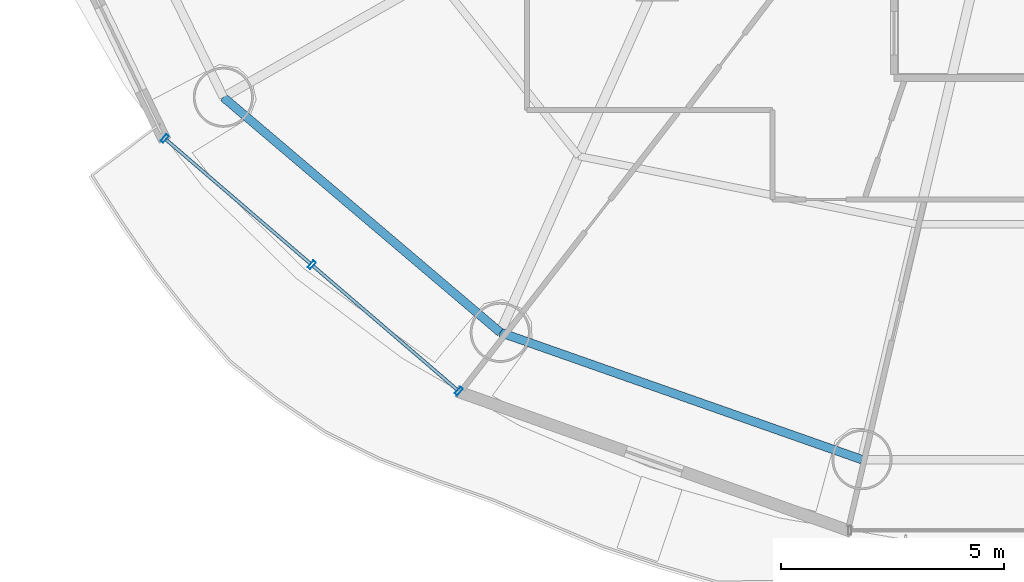
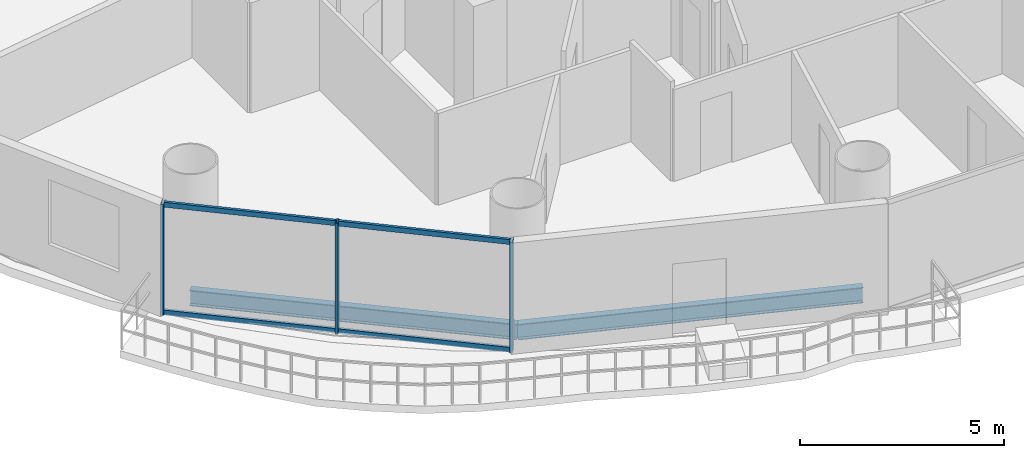
# One storey, part 2 of 26: 7 members, 2 beams, 1 element without a shape of its own.
"""IFC4 building model written with IfcOpenShell, lengths in metres."""

from ifc_helpers import new_model, si_unit, direction, frame, origin, origin_2d, place, context, subcontext, project, spatial, hollow_rectangle, i_section, extrude, source, transform, mapped, material, material_profile, profile_set, type_object, element, aggregate, save


model = new_model("IFC4")

# Units and contexts
model_context = context("Model", 3, precision=1e-05, world=origin(), true_north=direction((-0.2419218956, 0.970295726276)))
body_context = subcontext(model_context, "Body", "Model", "MODEL_VIEW")
ifc_project = project(units=[si_unit("LENGTHUNIT", "METRE"), si_unit("AREAUNIT", "SQUARE_METRE"), si_unit("VOLUMEUNIT", "CUBIC_METRE"), si_unit("PLANEANGLEUNIT", "RADIAN"), si_unit("MASSUNIT", "GRAM", prefix="KILO")], contexts=[model_context])

# Site, building, storey
site_placement = place(None, origin())
site = spatial("IfcSite", under=ifc_project, at=site_placement, CompositionType="ELEMENT")
building_placement = place(site_placement, origin())
building = spatial("IfcBuilding", under=site, at=building_placement, Name="Cobrevalo Terracotta Tower", CompositionType="ELEMENT")
storey_placement = place(building_placement, frame((0.0, 0.0, 135.39990234375)))
storey = spatial("IfcBuildingStorey", under=building, at=storey_placement, Name="L35", CompositionType="ELEMENT", Elevation=135.39990234375)

# Beams
ifc_material_1 = material(Name="Steel S355", Category="steel")
ifc_material_profile_1 = material_profile(ifc_material_1, i_section(OverallWidth=0.194091796875, OverallDepth=0.468994140625, WebThickness=0.011474609375, FlangeThickness=0.0205078125, at=origin_2d()), Name="W 460x106")
ifc_profile_set_1 = profile_set([ifc_material_profile_1], Name="Steel S355")
beam_type = type_object("IfcBeamType", Name="Structural Spandrel W 460x106 (Steel S355)", PredefinedType="SPANDREL", material=ifc_profile_set_1)
beam_1_placement = place(storey_placement, frame((19.250244140625, 16.160888671875, -0.50439453125), z_axis=(0.762240337798, -0.647294112003, 0.0), x_axis=(0.647294112003, 0.762240337798, 0.0)))
element("IfcBeam", 1, at=beam_1_placement, inside=storey, type_object=beam_type, Name="L35 perimeter ring spandrel 10", PredefinedType="SPANDREL", context=body_context, shape_type="SweptSolid", body=[
    extrude(i_section(OverallWidth=0.194091796875, OverallDepth=0.468994140625, WebThickness=0.011474609375, FlangeThickness=0.0205078125, at=origin_2d()), origin(), (0.0, 0.0, 1.0), 8.162353515625),
])
beam_2_placement = place(storey_placement, frame((25.471923828125, 10.87744140625, -0.50439453125), z_axis=(0.943341298492, -0.331824041565, 0.0), x_axis=(0.331824041565, 0.943341298492, 0.0)))
element("IfcBeam", 2, at=beam_2_placement, inside=storey, type_object=beam_type, Name="L35 perimeter ring spandrel 11", PredefinedType="SPANDREL", context=body_context, shape_type="SweptSolid", body=[
    extrude(i_section(OverallWidth=0.194091796875, OverallDepth=0.468994140625, WebThickness=0.011474609375, FlangeThickness=0.0205078125, at=origin_2d()), origin(), (0.0, 0.0, 1.0), 8.6171875),
])

# Curtain wall, members
ifc_material_2 = material(Name="Anodized aluminium", Category="aluminium")
curtain_wall_type = type_object("IfcCurtainWallType", Name="Mid-tower high-wind unitised curtain wall CW-U2", PredefinedType="NOTDEFINED", material=ifc_material_2)
curtain_wall_placement = place(storey_placement, origin())
curtain_wall = element("IfcCurtainWall", 3, at=curtain_wall_placement, inside=storey, type_object=curtain_wall_type, Name="L35 curtain wall CW-L35-S10", PredefinedType="NOTDEFINED")
ifc_material_profile_2 = material_profile(ifc_material_2, hollow_rectangle(XDim=0.074951171875, YDim=0.199951171875, WallThickness=0.0048828125, at=origin_2d()), Name="CWM 75x200")
ifc_profile_set_2 = profile_set([ifc_material_profile_2], Name="Anodized aluminium")
member_type_1 = type_object("IfcMemberType", Name="Lower/mid tower unitised mullion 75x200", PredefinedType="MULLION", material=ifc_profile_set_2)
shared_shape_1 = source(origin(), body_context, "Body", "SweptSolid", [
    extrude(hollow_rectangle(XDim=0.074951171875, YDim=0.199951171875, WallThickness=0.0048828125, at=origin_2d()), origin(), (0.0, 0.0, 1.0), 3.330078125),
])
member_1_placement = place(storey_placement, frame((17.933837890625, 15.234619140625, 0.0), z_axis=(0.0, 0.0, 1.0), x_axis=(0.758441546142, -0.65174106905, 0.0)))
member_1 = element("IfcMember", 4, at=member_1_placement, type_object=member_type_1, Name="CW-L35-S10 vertical mullion 01", PredefinedType="MULLION", context=body_context, shape_type="MappedRepresentation", body=[
    mapped(shared_shape_1, transform((0.0, 0.0, 0.0), scale=1.0)),
])
member_2_placement = place(storey_placement, frame((21.237548828125, 12.3955078125, 0.0), z_axis=(0.0, 0.0, 1.0), x_axis=(0.758441546142, -0.65174106905, 0.0)))
member_2 = element("IfcMember", 5, at=member_2_placement, type_object=member_type_1, Name="CW-L35-S10 vertical mullion 02", PredefinedType="MULLION", context=body_context, shape_type="MappedRepresentation", body=[
    mapped(shared_shape_1, transform((0.0, 0.0, 0.0), scale=1.0)),
])
member_3_placement = place(storey_placement, frame((24.54150390625, 9.556396484375, 0.0), z_axis=(0.0, 0.0, 1.0), x_axis=(0.758441546142, -0.65174106905, 0.0)))
member_3 = element("IfcMember", 6, at=member_3_placement, type_object=member_type_1, Name="CW-L35-S10 vertical mullion 03", PredefinedType="MULLION", context=body_context, shape_type="MappedRepresentation", body=[
    mapped(shared_shape_1, transform((0.0, 0.0, 0.0), scale=1.0)),
])
ifc_material_profile_3 = material_profile(ifc_material_2, hollow_rectangle(XDim=0.074951171875, YDim=0.14990234375, WallThickness=0.00439453125, at=origin_2d()), Name="CWT 75x150")
ifc_profile_set_3 = profile_set([ifc_material_profile_3], Name="Anodized aluminium")
member_type_2 = type_object("IfcMemberType", Name="Tower unitised aluminium transom 75x150", PredefinedType="USERDEFINED", material=ifc_profile_set_3)
shared_shape_2 = source(origin(), body_context, "Body", "SweptSolid", [
    extrude(hollow_rectangle(XDim=0.074951171875, YDim=0.14990234375, WallThickness=0.00439453125, at=origin_2d()), origin(), (0.0, 0.0, 1.0), 4.276123046875),
])
member_4_placement = place(storey_placement, frame((17.964111328125, 15.208740234375, 0.050048828125), z_axis=(0.758417719247, -0.651768795764, 0.0), x_axis=(0.651768795764, 0.758417719247, 0.0)))
member_4 = element("IfcMember", 7, at=member_4_placement, type_object=member_type_2, Name="CW-L35-S10 transom B01-T1", ObjectType="TRANSOM", PredefinedType="USERDEFINED", context=body_context, shape_type="MappedRepresentation", body=[
    mapped(shared_shape_2, transform((0.0, 0.0, 0.0), scale=1.0)),
])
member_5_placement = place(storey_placement, frame((17.964111328125, 15.208740234375, 3.280029296875), z_axis=(0.758417719247, -0.651768795764, 0.0), x_axis=(0.651768795764, 0.758417719247, 0.0)))
member_5 = element("IfcMember", 8, at=member_5_placement, type_object=member_type_2, Name="CW-L35-S10 transom B01-T2", ObjectType="TRANSOM", PredefinedType="USERDEFINED", context=body_context, shape_type="MappedRepresentation", body=[
    mapped(shared_shape_2, transform((0.0, 0.0, 0.0), scale=1.0)),
])
member_6_placement = place(storey_placement, frame((21.26806640625, 12.36962890625, 0.050048828125), z_axis=(0.758417719247, -0.651768795764, 0.0), x_axis=(0.651768795764, 0.758417719247, 0.0)))
member_6 = element("IfcMember", 9, at=member_6_placement, type_object=member_type_2, Name="CW-L35-S10 transom B02-T1", ObjectType="TRANSOM", PredefinedType="USERDEFINED", context=body_context, shape_type="MappedRepresentation", body=[
    mapped(shared_shape_2, transform((0.0, 0.0, 0.0), scale=1.0)),
])
member_7_placement = place(storey_placement, frame((21.26806640625, 12.36962890625, 3.280029296875), z_axis=(0.758417719247, -0.651768795764, 0.0), x_axis=(0.651768795764, 0.758417719247, 0.0)))
member_7 = element("IfcMember", 10, at=member_7_placement, type_object=member_type_2, Name="CW-L35-S10 transom B02-T2", ObjectType="TRANSOM", PredefinedType="USERDEFINED", context=body_context, shape_type="MappedRepresentation", body=[
    mapped(shared_shape_2, transform((0.0, 0.0, 0.0), scale=1.0)),
])
aggregate(curtain_wall, [member_1, member_2, member_3, member_4, member_5, member_6, member_7])

save(model, "model.ifc")
